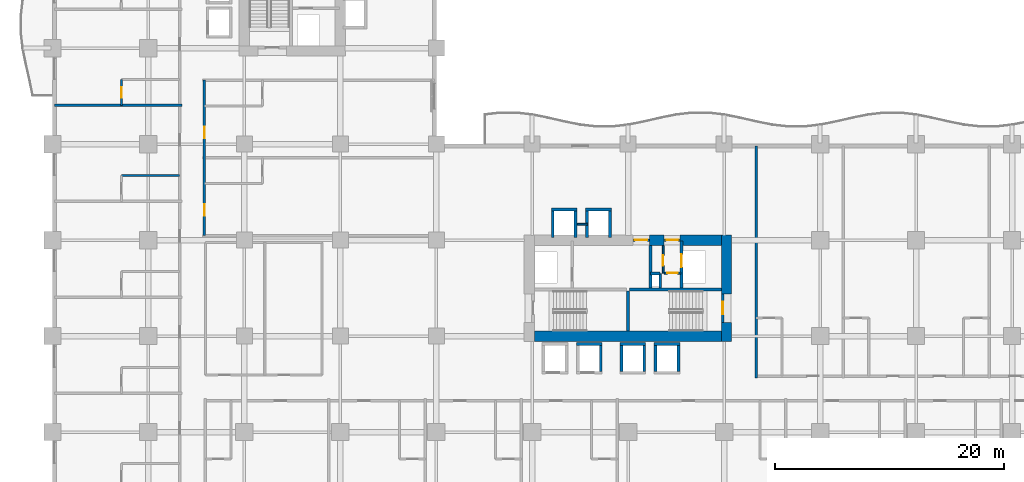
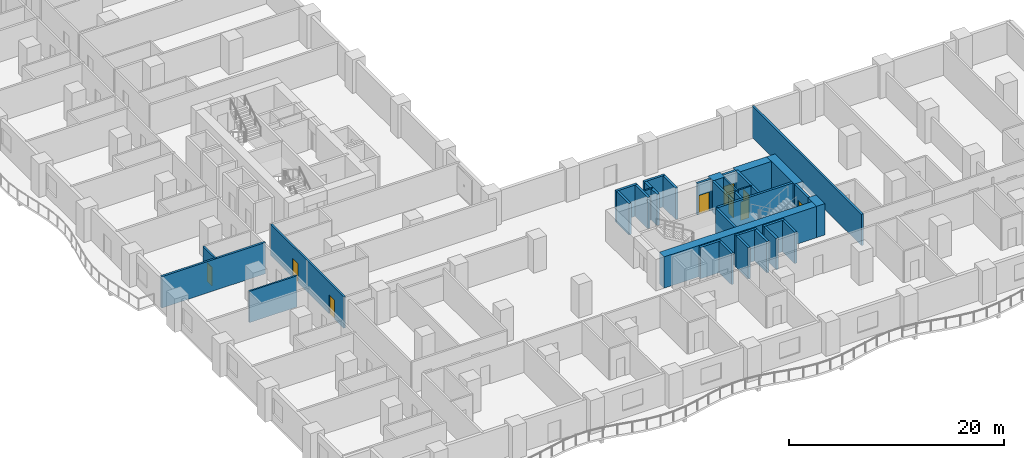
# One storey, part 7 of 20: 36 walls, 9 doors, 9 openings.
"""IFC4 building model written with IfcOpenShell, lengths in metres."""

from ifc_helpers import new_model, si_unit, direction, frame, frame_2d, origin, place, context, subcontext, project, spatial, rectangle, extrude, material, layer, layer_set, type_object, element, fill, save


model = new_model("IFC4")

# Units and contexts
model_context = context("Model", 3, precision=1e-05, world=origin(), true_north=direction((0.0, 1.0)))
body_context = subcontext(model_context, "Body", "Model", "MODEL_VIEW")
ifc_project = project(units=[si_unit("LENGTHUNIT", "METRE"), si_unit("AREAUNIT", "SQUARE_METRE"), si_unit("VOLUMEUNIT", "CUBIC_METRE"), si_unit("PLANEANGLEUNIT", "RADIAN"), si_unit("MASSUNIT", "GRAM", prefix="KILO")], contexts=[model_context])

# Site, building, storey
site_placement = place(None, origin())
site = spatial("IfcSite", under=ifc_project, at=site_placement, CompositionType="ELEMENT")
building_placement = place(site_placement, origin())
building = spatial("IfcBuilding", under=site, at=building_placement, Name="Koriwani Terraces Tower", CompositionType="ELEMENT")
storey_placement = place(building_placement, frame((0.0, 0.0, 35.800048828125)))
storey = spatial("IfcBuildingStorey", under=building, at=storey_placement, Name="L07", CompositionType="ELEMENT", Elevation=35.800048828125)

# Walls
ifc_material_1 = material(Name="Concrete C60/75", Category="concrete")
ifc_layer_1 = layer(ifc_material_1, 0.89990234375, Name="Concrete C60/75")
ifc_layer_set_1 = layer_set([ifc_layer_1], Name="Concrete C60/75")
wall_type_1 = type_object("IfcWallType", Name="WALL_CORE_RC_900", PredefinedType="SHEAR", material=ifc_layer_set_1)
wall_1_placement = place(storey_placement, frame((59.0, 16.35009765625, 0.0), z_axis=(0.0, 0.0, 1.0), x_axis=(0.0, 1.0, 0.0)))
element("IfcWall", 1, at=wall_1_placement, inside=storey, type_object=wall_type_1, Name="L07 East Split Core Shear Wall E1", PredefinedType="SHEAR", context=body_context, shape_type="SweptSolid", body=[
    extrude(rectangle(XDim=1.64990234375, YDim=0.89990234375, at=frame_2d((0.824951171875, 0.0))), origin(), (0.0, 0.0, 1.0), 3.550048828125),
])
wall_2_placement = place(storey_placement, frame((59.0, 20.5, 0.0), z_axis=(0.0, 0.0, 1.0), x_axis=(0.0, 1.0, 0.0)))
element("IfcWall", 2, at=wall_2_placement, inside=storey, type_object=wall_type_1, Name="L07 East Split Core Shear Wall E2", PredefinedType="SHEAR", context=body_context, shape_type="SweptSolid", body=[
    extrude(rectangle(XDim=5.14990234375, YDim=0.89990234375, at=frame_2d((2.574951171875, 0.0))), origin(), (0.0, 0.0, 1.0), 3.550048828125),
])
wall_3_placement = place(storey_placement, frame((42.199951171875, 16.800048828125, 0.0), z_axis=(0.0, 0.0, 1.0), x_axis=(1.0, 0.0, 0.0)))
element("IfcWall", 3, at=wall_3_placement, inside=storey, type_object=wall_type_1, Name="L07 East Split Core Shear Wall S1", PredefinedType="SHEAR", context=body_context, shape_type="SweptSolid", body=[
    extrude(rectangle(XDim=16.35009765625, YDim=0.89990234375, at=frame_2d((8.175048828125, 0.0))), origin(), (0.0, 0.0, 1.0), 3.550048828125),
])
wall_4_placement = place(storey_placement, frame((52.280029296875, 25.199951171875, 0.0), z_axis=(0.0, 0.0, 1.0), x_axis=(1.0, 0.0, 0.0)))
element("IfcWall", 4, at=wall_4_placement, inside=storey, type_object=wall_type_1, Name="L07 East Split Core Shear Wall N2", PredefinedType="SHEAR", context=body_context, shape_type="SweptSolid", body=[
    extrude(rectangle(XDim=1.27001953125, YDim=0.89990234375, at=frame_2d((0.635009765625, 0.0))), origin(), (0.0, 0.0, 1.0), 3.550048828125),
])
wall_5_placement = place(storey_placement, frame((54.949951171875, 25.199951171875, 0.0), z_axis=(0.0, 0.0, 1.0), x_axis=(1.0, 0.0, 0.0)))
element("IfcWall", 5, at=wall_5_placement, inside=storey, type_object=wall_type_1, Name="L07 East Split Core Shear Wall N3", PredefinedType="SHEAR", context=body_context, shape_type="SweptSolid", body=[
    extrude(rectangle(XDim=3.60009765625, YDim=0.89990234375, at=frame_2d((1.800048828125, 0.0))), origin(), (0.0, 0.0, 1.0), 3.550048828125),
])

# Wall, openings, doors
ifc_material_2 = material(Name="Autoclaved Cellular Concrete Blockwork", Category="masonry")
ifc_layer_2 = layer(ifc_material_2, 0.199951171875, Name="Autoclaved Cellular Concrete Blockwork")
ifc_layer_set_2 = layer_set([ifc_layer_2], Name="Autoclaved Cellular Concrete Blockwork")
wall_type_2 = type_object("IfcWallType", Name="WALL_CORRIDOR_200", PredefinedType="PARTITIONING", material=ifc_layer_set_2)
wall_6_placement = place(storey_placement, frame((13.300048828125, 25.60009765625, 0.0), z_axis=(0.0, 0.0, 1.0), x_axis=(0.0, 1.0, 0.0)))
wall_6 = element("IfcWall", 6, at=wall_6_placement, inside=storey, type_object=wall_type_2, Name="L07 Interior Wall WCOR-L07-NWI-0", PredefinedType="PARTITIONING", context=body_context, shape_type="SweptSolid", body=[
    extrude(rectangle(XDim=13.599853515625, YDim=0.199951171875, at=frame_2d((6.7998046875, 0.0))), origin(), (0.0, 0.0, 1.0), 3.550048828125),
])
opening_1_placement = place(wall_6_placement, frame((1.735107421875, 0.0, 0.0)))
opening_1 = element("IfcOpeningElement", 7, at=opening_1_placement, cuts=wall_6, Name="Opening D-05", PredefinedType="OPENING", context=body_context, shape_type="SweptSolid", body=[
    extrude(rectangle(XDim=1.0, YDim=2.14990234375, at=frame_2d((0.5, 1.074951171875))), frame((0.0, 0.10986328125, 0.0), z_axis=(0.0, -1.0, 0.0), x_axis=(1.0, 0.0, 0.0)), (0.0, 0.0, 1.0), 0.219970703125),
])
opening_2_placement = place(wall_6_placement, frame((8.534912109375, 0.0, 0.0)))
opening_2 = element("IfcOpeningElement", 8, at=opening_2_placement, cuts=wall_6, Name="Opening D-05", PredefinedType="OPENING", context=body_context, shape_type="SweptSolid", body=[
    extrude(rectangle(XDim=1.0, YDim=2.14990234375, at=frame_2d((0.5, 1.074951171875))), frame((0.0, 0.10986328125, 0.0), z_axis=(0.0, -1.0, 0.0), x_axis=(1.0, 0.0, 0.0)), (0.0, 0.0, 1.0), 0.219970703125),
])
ifc_material_3 = material(Name="Architectural Oak Fire Door", Category="wood")
door_type_1 = type_object("IfcDoorType", Name="DOOR_SUITE_ENTRY_1000X2150", OperationType="NOTDEFINED", PredefinedType="DOOR", material=ifc_material_3)
door_1_placement = place(opening_1_placement, origin())
door_1 = element("IfcDoor", 9, at=door_1_placement, inside=storey, type_object=door_type_1, Name="Luxury Hotel Suite 07NWI1 Entrance Door", OperationType="SINGLE_SWING_LEFT", OverallHeight=2.14990234375, OverallWidth=1.0, PredefinedType="DOOR", context=body_context, shape_type="SweptSolid", body=[
    extrude(rectangle(XDim=1.0, YDim=2.14990234375, at=frame_2d((0.5, 1.074951171875))), frame((0.0, 0.02490234375, 0.0), z_axis=(0.0, -1.0, 0.0), x_axis=(1.0, 0.0, 0.0)), (0.0, 0.0, 1.0), 0.050048828125),
])
fill(opening_1, door_1)
door_2_placement = place(opening_2_placement, origin())
door_2 = element("IfcDoor", 10, at=door_2_placement, inside=storey, type_object=door_type_1, Name="Luxury Hotel Suite 07NWI2 Entrance Door", OperationType="SINGLE_SWING_LEFT", OverallHeight=2.14990234375, OverallWidth=1.0, PredefinedType="DOOR", context=body_context, shape_type="SweptSolid", body=[
    extrude(rectangle(XDim=1.0, YDim=2.14990234375, at=frame_2d((0.5, 1.074951171875))), frame((0.0, 0.02490234375, 0.0), z_axis=(0.0, -1.0, 0.0), x_axis=(1.0, 0.0, 0.0)), (0.0, 0.0, 1.0), 0.050048828125),
])
fill(opening_2, door_2)

# Walls
ifc_layer_3 = layer(ifc_material_2, 0.219970703125, Name="Autoclaved Cellular Concrete Blockwork")
ifc_layer_set_3 = layer_set([ifc_layer_3], Name="Autoclaved Cellular Concrete Blockwork")
wall_type_3 = type_object("IfcWallType", Name="WALL_DEMISING_220", PredefinedType="PARTITIONING", material=ifc_layer_set_3)
wall_7_placement = place(storey_placement, frame((0.199951171875, 37.0, 0.0), z_axis=(0.0, 0.0, 1.0), x_axis=(1.0, 0.0, 0.0)))
element("IfcWall", 11, at=wall_7_placement, inside=storey, type_object=wall_type_3, Name="L07 Interior Wall WDEM-L07-NW-4", PredefinedType="PARTITIONING", context=body_context, shape_type="SweptSolid", body=[
    extrude(rectangle(XDim=11.130126953125, YDim=0.219970703125, at=frame_2d((5.56494140625, 0.0))), origin(), (0.0, 0.0, 1.0), 3.550048828125),
])
wall_8_placement = place(storey_placement, frame((61.60009765625, 13.14990234375, 0.0), z_axis=(0.0, 0.0, 1.0), x_axis=(0.0, 1.0, 0.0)))
element("IfcWall", 12, at=wall_8_placement, inside=storey, type_object=wall_type_3, Name="L07 Interior Wall WDEM-L07-SE-0", PredefinedType="PARTITIONING", context=body_context, shape_type="SweptSolid", body=[
    extrude(rectangle(XDim=20.280029296875, YDim=0.219970703125, at=frame_2d((10.14013671875, 0.0))), origin(), (0.0, 0.0, 1.0), 3.550048828125),
])
ifc_material_4 = material(Name="Fire-Rated Acoustic Gypsum Partition", Category="masonry")
ifc_layer_4 = layer(ifc_material_4, 0.179931640625, Name="Fire-Rated Acoustic Gypsum Partition")
ifc_layer_set_4 = layer_set([ifc_layer_4], Name="Fire-Rated Acoustic Gypsum Partition")
wall_type_4 = type_object("IfcWallType", Name="WALL_PLUMBING_180", PredefinedType="PLUMBINGWALL", material=ifc_layer_set_4)
wall_9_placement = place(storey_placement, frame((6.050048828125, 30.85009765625, 0.0), z_axis=(0.0, 0.0, 1.0), x_axis=(1.0, 0.0, 0.0)))
element("IfcWall", 13, at=wall_9_placement, inside=storey, type_object=wall_type_4, Name="L07 Interior Wall WBTH2-L07-NW-3", PredefinedType="PLUMBINGWALL", context=body_context, shape_type="SweptSolid", body=[
    extrude(rectangle(XDim=5.099853515625, YDim=0.179931640625, at=frame_2d((2.5498046875, 0.0))), origin(), (0.0, 0.0, 1.0), 3.550048828125),
])

# Wall, opening, door
wall_10_placement = place(storey_placement, frame((6.050048828125, 37.0, 0.0), z_axis=(0.0, 0.0, 1.0), x_axis=(0.0, 1.0, 0.0)))
wall_10 = element("IfcWall", 14, at=wall_10_placement, inside=storey, type_object=wall_type_4, Name="L07 Interior Wall WBTH1-L07-NW-4", PredefinedType="PLUMBINGWALL", context=body_context, shape_type="SweptSolid", body=[
    extrude(rectangle(XDim=2.25, YDim=0.179931640625, at=frame_2d((1.125, 0.0))), origin(), (0.0, 0.0, 1.0), 3.550048828125),
])
opening_3_placement = place(wall_10_placement, frame((0.675048828125, 0.0, 0.0)))
opening_3 = element("IfcOpeningElement", 15, at=opening_3_placement, cuts=wall_10, Name="Opening D-07", PredefinedType="OPENING", context=body_context, shape_type="SweptSolid", body=[
    extrude(rectangle(XDim=0.89990234375, YDim=2.10009765625, at=frame_2d((0.449951171875, 1.050048828125))), frame((0.0, 0.10009765625, 0.0), z_axis=(0.0, -1.0, 0.0), x_axis=(1.0, 0.0, 0.0)), (0.0, 0.0, 1.0), 0.199951171875),
])
door_type_2 = type_object("IfcDoorType", Name="DOOR_BATH_INT_900X2100", OperationType="NOTDEFINED", PredefinedType="DOOR", material=ifc_material_3)
door_3_placement = place(opening_3_placement, origin())
door_3 = element("IfcDoor", 16, at=door_3_placement, inside=storey, type_object=door_type_2, Name="En-Suite Bathroom 07NW5 Door", OperationType="SINGLE_SWING_RIGHT", OverallHeight=2.10009765625, OverallWidth=0.89990234375, PredefinedType="DOOR", context=body_context, shape_type="SweptSolid", body=[
    extrude(rectangle(XDim=0.89990234375, YDim=2.10009765625, at=frame_2d((0.449951171875, 1.050048828125))), frame((0.0, 0.02490234375, 0.0), z_axis=(0.0, -1.0, 0.0), x_axis=(1.0, 0.0, 0.0)), (0.0, 0.0, 1.0), 0.050048828125),
])
fill(opening_3, door_3)

# Walls
ifc_material_5 = material(Name="Concrete C40/50", Category="concrete")
ifc_layer_5 = layer(ifc_material_5, 0.25, Name="Concrete C40/50")
ifc_layer_set_5 = layer_set([ifc_layer_5], Name="Concrete C40/50")
wall_type_5 = type_object("IfcWallType", Name="WALL_SHAFT_RATED_250", PredefinedType="SOLIDWALL", material=ifc_layer_set_5)
wall_11_placement = place(storey_placement, frame((50.5, 20.875, 0.0), z_axis=(0.0, 0.0, 1.0), x_axis=(1.0, 0.0, 0.0)))
element("IfcWall", 17, at=wall_11_placement, inside=storey, type_object=wall_type_5, Name="L07 East Split Core Web Wall MID2", PredefinedType="SOLIDWALL", context=body_context, shape_type="SweptSolid", body=[
    extrude(rectangle(XDim=8.050048828125, YDim=0.25, at=frame_2d((4.02490234375, 0.0))), origin(), (0.0, 0.0, 1.0), 3.550048828125),
])
wall_12_placement = place(storey_placement, frame((50.375, 17.25, 0.0), z_axis=(0.0, 0.0, 1.0), x_axis=(0.0, 1.0, 0.0)))
element("IfcWall", 18, at=wall_12_placement, inside=storey, type_object=wall_type_5, Name="L07 East Split Core Stair Dividing Wall", PredefinedType="SOLIDWALL", context=body_context, shape_type="SweptSolid", body=[
    extrude(rectangle(XDim=3.5, YDim=0.25, at=frame_2d((1.75, 0.0))), origin(), (0.0, 0.0, 1.0), 3.550048828125),
])

# Wall, opening, door
wall_13_placement = place(storey_placement, frame((58.675048828125, 18.0, 0.0), z_axis=(0.0, 0.0, 1.0), x_axis=(0.0, 1.0, 0.0)))
wall_13 = element("IfcWall", 19, at=wall_13_placement, inside=storey, type_object=wall_type_5, Name="L07 Interior Wall WIN-CE-L07-STE", PredefinedType="SOLIDWALL", context=body_context, shape_type="SweptSolid", body=[
    extrude(rectangle(XDim=2.5, YDim=0.25, at=frame_2d((1.25, 0.0))), origin(), (0.0, 0.0, 1.0), 3.550048828125),
])
opening_4_placement = place(wall_13_placement, frame((0.699951171875, 0.0, 0.0)))
opening_4 = element("IfcOpeningElement", 20, at=opening_4_placement, cuts=wall_13, Name="Opening D-03", PredefinedType="OPENING", context=body_context, shape_type="SweptSolid", body=[
    extrude(rectangle(XDim=1.10009765625, YDim=2.14990234375, at=frame_2d((0.550048828125, 1.074951171875))), frame((0.0, 0.135009765625, 0.0), z_axis=(0.0, -1.0, 0.0), x_axis=(1.0, 0.0, 0.0)), (0.0, 0.0, 1.0), 0.27001953125),
])
ifc_material_6 = material(Name="Steel ASTM A572 Grade 50", Category="steel")
door_type_3 = type_object("IfcDoorType", Name="DOOR_STAIR_FIRE_1100X2150", OperationType="NOTDEFINED", PredefinedType="DOOR", material=ifc_material_6)
door_4_placement = place(opening_4_placement, origin())
door_4 = element("IfcDoor", 21, at=door_4_placement, inside=storey, type_object=door_type_3, Name="L07 Exit Stair ST-E2 Door", OperationType="SINGLE_SWING_RIGHT", OverallHeight=2.14990234375, OverallWidth=1.10009765625, PredefinedType="DOOR", context=body_context, shape_type="SweptSolid", body=[
    extrude(rectangle(XDim=1.10009765625, YDim=2.14990234375, at=frame_2d((0.550048828125, 1.074951171875))), frame((0.0, 0.02490234375, 0.0), z_axis=(0.0, -1.0, 0.0), x_axis=(1.0, 0.0, 0.0)), (0.0, 0.0, 1.0), 0.050048828125),
])
fill(opening_4, door_4)

wall_14_placement = place(storey_placement, frame((50.800048828125, 25.199951171875, 0.0), z_axis=(0.0, 0.0, 1.0), x_axis=(1.0, 0.0, 0.0)))
wall_14 = element("IfcWall", 22, at=wall_14_placement, inside=storey, type_object=wall_type_5, Name="L07 Interior Wall WIN-CE-L07-NP", PredefinedType="SOLIDWALL", context=body_context, shape_type="SweptSolid", body=[
    extrude(rectangle(XDim=1.47998046875, YDim=0.25, at=frame_2d((0.739990234375, 0.0))), origin(), (0.0, 0.0, 1.0), 3.550048828125),
])
opening_5_placement = place(wall_14_placement, frame((0.179931640625, 0.0, 0.0)))
opening_5 = element("IfcOpeningElement", 23, at=opening_5_placement, cuts=wall_14, Name="Opening D-03", PredefinedType="OPENING", context=body_context, shape_type="SweptSolid", body=[
    extrude(rectangle(XDim=1.10009765625, YDim=2.14990234375, at=frame_2d((0.550048828125, 1.074951171875))), frame((0.0, 0.135009765625, 0.0), z_axis=(0.0, -1.0, 0.0), x_axis=(1.0, 0.0, 0.0)), (0.0, 0.0, 1.0), 0.27001953125),
])
door_5_placement = place(opening_5_placement, origin())
door_5 = element("IfcDoor", 24, at=door_5_placement, inside=storey, type_object=door_type_3, Name="L07 East Firefighting Lobby Door", OperationType="SINGLE_SWING_LEFT", OverallHeight=2.14990234375, OverallWidth=1.10009765625, PredefinedType="DOOR", context=body_context, shape_type="SweptSolid", body=[
    extrude(rectangle(XDim=1.10009765625, YDim=2.14990234375, at=frame_2d((0.550048828125, 1.074951171875))), frame((0.0, 0.02490234375, 0.0), z_axis=(0.0, -1.0, 0.0), x_axis=(1.0, 0.0, 0.0)), (0.0, 0.0, 1.0), 0.050048828125),
])
fill(opening_5, door_5)

# Wall
wall_15_placement = place(storey_placement, frame((52.340087890625, 21.0, 0.0), z_axis=(0.0, 0.0, 1.0), x_axis=(0.0, 1.0, 0.0)))
element("IfcWall", 25, at=wall_15_placement, inside=storey, type_object=wall_type_5, Name="L07 Interior Wall WIN-CE-L07-FFE", PredefinedType="SOLIDWALL", context=body_context, shape_type="SweptSolid", body=[
    extrude(rectangle(XDim=3.75, YDim=0.25, at=frame_2d((1.875, 0.0))), origin(), (0.0, 0.0, 1.0), 3.550048828125),
])

# Wall, opening, door
wall_16_placement = place(storey_placement, frame((55.050048828125, 21.0, 0.0), z_axis=(0.0, 0.0, 1.0), x_axis=(0.0, 1.0, 0.0)))
wall_16 = element("IfcWall", 26, at=wall_16_placement, inside=storey, type_object=wall_type_5, Name="L07 Interior Wall WIN-CE-L07-SE", PredefinedType="SOLIDWALL", context=body_context, shape_type="SweptSolid", body=[
    extrude(rectangle(XDim=4.14990234375, YDim=0.25, at=frame_2d((2.074951171875, 0.0))), origin(), (0.0, 0.0, 1.0), 3.550048828125),
])
opening_6_placement = place(wall_16_placement, frame((1.85009765625, 0.0, 0.0)))
opening_6 = element("IfcOpeningElement", 27, at=opening_6_placement, cuts=wall_16, Name="Opening LD-01", PredefinedType="OPENING", context=body_context, shape_type="SweptSolid", body=[
    extrude(rectangle(XDim=1.10009765625, YDim=2.14990234375, at=frame_2d((0.550048828125, 1.074951171875))), frame((0.0, 0.135009765625, 0.0), z_axis=(0.0, -1.0, 0.0), x_axis=(1.0, 0.0, 0.0)), (0.0, 0.0, 1.0), 0.27001953125),
])
door_type_4 = type_object("IfcDoorType", Name="DOOR_LIFT_LANDING_1100X2200", OperationType="NOTDEFINED", PredefinedType="DOOR", material=ifc_material_6)
door_6_placement = place(opening_6_placement, origin())
door_6 = element("IfcDoor", 28, at=door_6_placement, inside=storey, type_object=door_type_4, Name="L07 Goods Lift SE-02 Landing Door", OperationType="SLIDING_TO_LEFT", OverallHeight=2.14990234375, OverallWidth=1.10009765625, PredefinedType="DOOR", context=body_context, shape_type="SweptSolid", body=[
    extrude(rectangle(XDim=1.10009765625, YDim=2.14990234375, at=frame_2d((0.550048828125, 1.074951171875))), frame((0.0, 0.02490234375, 0.0), z_axis=(0.0, -1.0, 0.0), x_axis=(1.0, 0.0, 0.0)), (0.0, 0.0, 1.0), 0.050048828125),
])
fill(opening_6, door_6)

wall_17_placement = place(storey_placement, frame((53.550048828125, 25.199951171875, 0.0), z_axis=(0.0, 0.0, 1.0), x_axis=(1.0, 0.0, 0.0)))
wall_17 = element("IfcWall", 29, at=wall_17_placement, inside=storey, type_object=wall_type_5, Name="L07 Interior Wall WIN-CE-L07-NP2", PredefinedType="SOLIDWALL", context=body_context, shape_type="SweptSolid", body=[
    extrude(rectangle(XDim=1.39990234375, YDim=0.25, at=frame_2d((0.699951171875, 0.0))), origin(), (0.0, 0.0, 1.0), 3.550048828125),
])
opening_7_placement = place(wall_17_placement, frame((0.14990234375, 0.0, 0.0)))
opening_7 = element("IfcOpeningElement", 30, at=opening_7_placement, cuts=wall_17, Name="Opening D-03", PredefinedType="OPENING", context=body_context, shape_type="SweptSolid", body=[
    extrude(rectangle(XDim=1.10009765625, YDim=2.14990234375, at=frame_2d((0.550048828125, 1.074951171875))), frame((0.0, 0.135009765625, 0.0), z_axis=(0.0, -1.0, 0.0), x_axis=(1.0, 0.0, 0.0)), (0.0, 0.0, 1.0), 0.27001953125),
])
door_7_placement = place(opening_7_placement, origin())
door_7 = element("IfcDoor", 31, at=door_7_placement, inside=storey, type_object=door_type_3, Name="L07 East Goods Lift Lobby Door", OperationType="SINGLE_SWING_RIGHT", OverallHeight=2.14990234375, OverallWidth=1.10009765625, PredefinedType="DOOR", context=body_context, shape_type="SweptSolid", body=[
    extrude(rectangle(XDim=1.10009765625, YDim=2.14990234375, at=frame_2d((0.550048828125, 1.074951171875))), frame((0.0, 0.02490234375, 0.0), z_axis=(0.0, -1.0, 0.0), x_axis=(1.0, 0.0, 0.0)), (0.0, 0.0, 1.0), 0.050048828125),
])
fill(opening_7, door_7)

# Walls
wall_18_placement = place(storey_placement, frame((53.199951171875, 21.0, 0.0), z_axis=(0.0, 0.0, 1.0), x_axis=(0.0, 1.0, 0.0)))
element("IfcWall", 32, at=wall_18_placement, inside=storey, type_object=wall_type_5, Name="L07 Interior Wall WIN-CE-L07-RS1", PredefinedType="SOLIDWALL", context=body_context, shape_type="SweptSolid", body=[
    extrude(rectangle(XDim=1.300048828125, YDim=0.25, at=frame_2d((0.64990234375, 0.0))), origin(), (0.0, 0.0, 1.0), 3.550048828125),
])
wall_19_placement = place(storey_placement, frame((52.360107421875, 22.300048828125, 0.0), z_axis=(0.0, 0.0, 1.0), x_axis=(1.0, 0.0, 0.0)))
element("IfcWall", 33, at=wall_19_placement, inside=storey, type_object=wall_type_5, Name="L07 Interior Wall WIN-CE-L07-RS2", PredefinedType="SOLIDWALL", context=body_context, shape_type="SweptSolid", body=[
    extrude(rectangle(XDim=0.83984375, YDim=0.25, at=frame_2d((0.419921875, 0.0))), origin(), (0.0, 0.0, 1.0), 3.550048828125),
])
for number, where, z_axis, x_axis, name in (
    (34, (45.875, 16.10009765625, 0.0), (0.0, 0.0, 1.0), (1.0, 0.0, 0.0), "L07 Interior Wall WIN-LF-PE-L4-L07-B"),
    (35, (48.0, 13.72509765625, 0.0), (0.0, 0.0, 1.0), (0.0, 1.0, 0.0), "L07 Interior Wall WIN-LF-PE-L4-L07-E"),
    (36, (49.675048828125, 16.10009765625, 0.0), (0.0, 0.0, 1.0), (1.0, 0.0, 0.0), "L07 Interior Wall WIN-LF-PE-M3-L07-B"),
    (37, (49.800048828125, 13.72509765625, 0.0), (0.0, 0.0, 1.0), (0.0, 1.0, 0.0), "L07 Interior Wall WIN-LF-PE-M3-L07-W"),
    (38, (51.800048828125, 13.72509765625, 0.0), (0.0, 0.0, 1.0), (0.0, 1.0, 0.0), "L07 Interior Wall WIN-LF-PE-M3-L07-E"),
    (39, (52.675048828125, 16.10009765625, 0.0), (0.0, 0.0, 1.0), (1.0, 0.0, 0.0), "L07 Interior Wall WIN-LF-PE-M4-L07-B"),
    (40, (52.800048828125, 13.72509765625, 0.0), (0.0, 0.0, 1.0), (0.0, 1.0, 0.0), "L07 Interior Wall WIN-LF-PE-M4-L07-W"),
    (41, (54.800048828125, 13.72509765625, 0.0), (0.0, 0.0, 1.0), (0.0, 1.0, 0.0), "L07 Interior Wall WIN-LF-PE-M4-L07-E"),
    (42, (43.675048828125, 27.89990234375, 0.0), (0.0, 0.0, 1.0), (1.0, 0.0, 0.0), "L07 Interior Wall WIN-LF-PE-H3-L07-F"),
):
    element("IfcWall", number, at=place(storey_placement, frame(where, z_axis=z_axis, x_axis=x_axis)), inside=storey, type_object=wall_type_5, Name=name, PredefinedType="SOLIDWALL", context=body_context, shape_type="SweptSolid", body=[
        extrude(rectangle(XDim=2.25, YDim=0.25, at=frame_2d((1.125, 0.0))), origin(), (0.0, 0.0, 1.0), 3.550048828125),
    ])
for number, where, z_axis, x_axis, name in (
    (43, (43.800048828125, 25.449951171875, 0.0), (0.0, 0.0, 1.0), (0.0, 1.0, 0.0), "L07 Interior Wall WIN-LF-PE-H3-L07-W"),
    (44, (45.800048828125, 25.449951171875, 0.0), (0.0, 0.0, 1.0), (0.0, 1.0, 0.0), "L07 Interior Wall WIN-LF-PE-H3-L07-E"),
):
    element("IfcWall", number, at=place(storey_placement, frame(where, z_axis=z_axis, x_axis=x_axis)), inside=storey, type_object=wall_type_5, Name=name, PredefinedType="SOLIDWALL", context=body_context, shape_type="SweptSolid", body=[
        extrude(rectangle(XDim=2.324951171875, YDim=0.25, at=frame_2d((1.16259765625, 0.0))), origin(), (0.0, 0.0, 1.0), 3.550048828125),
    ])
wall_20_placement = place(storey_placement, frame((46.675048828125, 27.89990234375, 0.0), z_axis=(0.0, 0.0, 1.0), x_axis=(1.0, 0.0, 0.0)))
element("IfcWall", 45, at=wall_20_placement, inside=storey, type_object=wall_type_5, Name="L07 Interior Wall WIN-LF-PE-H4-L07-F", PredefinedType="SOLIDWALL", context=body_context, shape_type="SweptSolid", body=[
    extrude(rectangle(XDim=2.25, YDim=0.25, at=frame_2d((1.125, 0.0))), origin(), (0.0, 0.0, 1.0), 3.550048828125),
])
for number, where, z_axis, x_axis, name in (
    (46, (46.800048828125, 25.449951171875, 0.0), (0.0, 0.0, 1.0), (0.0, 1.0, 0.0), "L07 Interior Wall WIN-LF-PE-H4-L07-W"),
    (47, (48.800048828125, 25.449951171875, 0.0), (0.0, 0.0, 1.0), (0.0, 1.0, 0.0), "L07 Interior Wall WIN-LF-PE-H4-L07-E"),
):
    element("IfcWall", number, at=place(storey_placement, frame(where, z_axis=z_axis, x_axis=x_axis)), inside=storey, type_object=wall_type_5, Name=name, PredefinedType="SOLIDWALL", context=body_context, shape_type="SweptSolid", body=[
        extrude(rectangle(XDim=2.324951171875, YDim=0.25, at=frame_2d((1.16259765625, 0.0))), origin(), (0.0, 0.0, 1.0), 3.550048828125),
    ])

# Wall, opening, door
ifc_layer_6 = layer(ifc_material_4, 0.159912109375, Name="Fire-Rated Acoustic Gypsum Partition")
ifc_layer_set_6 = layer_set([ifc_layer_6], Name="Fire-Rated Acoustic Gypsum Partition")
wall_type_6 = type_object("IfcWallType", Name="WALL_SUITE_160", PredefinedType="PARTITIONING", material=ifc_layer_set_6)
wall_21_placement = place(storey_placement, frame((53.56005859375, 22.320068359375, 0.0), z_axis=(0.0, 0.0, 1.0), x_axis=(1.0, 0.0, 0.0)))
wall_21 = element("IfcWall", 48, at=wall_21_placement, inside=storey, type_object=wall_type_6, Name="L07 Interior Wall WIN-CE-L07-SV1A", PredefinedType="PARTITIONING", context=body_context, shape_type="SweptSolid", body=[
    extrude(rectangle(XDim=1.43994140625, YDim=0.159912109375, at=frame_2d((0.719970703125, 0.0))), origin(), (0.0, 0.0, 1.0), 3.550048828125),
])
opening_8_placement = place(wall_21_placement, frame((0.260009765625, 0.0, 0.0)))
opening_8 = element("IfcOpeningElement", 49, at=opening_8_placement, cuts=wall_21, Name="Opening D-07", PredefinedType="OPENING", context=body_context, shape_type="SweptSolid", body=[
    extrude(rectangle(XDim=0.89990234375, YDim=2.10009765625, at=frame_2d((0.449951171875, 1.050048828125))), frame((0.0, 0.08984375, 0.0), z_axis=(0.0, -1.0, 0.0), x_axis=(1.0, 0.0, 0.0)), (0.0, 0.0, 1.0), 0.179931640625),
])
door_8_placement = place(opening_8_placement, origin())
door_8 = element("IfcDoor", 50, at=door_8_placement, inside=storey, type_object=door_type_2, Name="L07 East Telecom Room Door", OperationType="SINGLE_SWING_LEFT", OverallHeight=2.10009765625, OverallWidth=0.89990234375, PredefinedType="DOOR", context=body_context, shape_type="SweptSolid", body=[
    extrude(rectangle(XDim=0.89990234375, YDim=2.10009765625, at=frame_2d((0.449951171875, 1.050048828125))), frame((0.0, 0.02490234375, 0.0), z_axis=(0.0, -1.0, 0.0), x_axis=(1.0, 0.0, 0.0)), (0.0, 0.0, 1.0), 0.050048828125),
])
fill(opening_8, door_8)

wall_22_placement = place(storey_placement, frame((53.4599609375, 22.320068359375, 0.0), z_axis=(0.0, 0.0, 1.0), x_axis=(0.0, 1.0, 0.0)))
wall_22 = element("IfcWall", 51, at=wall_22_placement, inside=storey, type_object=wall_type_6, Name="L07 Interior Wall WIN-CE-L07-SV1B", PredefinedType="PARTITIONING", context=body_context, shape_type="SweptSolid", body=[
    extrude(rectangle(XDim=2.39990234375, YDim=0.159912109375, at=frame_2d((1.199951171875, 0.0))), origin(), (0.0, 0.0, 1.0), 3.550048828125),
])
opening_9_placement = place(wall_22_placement, frame((0.64990234375, 0.0, 0.0)))
opening_9 = element("IfcOpeningElement", 52, at=opening_9_placement, cuts=wall_22, Name="Opening D-07", PredefinedType="OPENING", context=body_context, shape_type="SweptSolid", body=[
    extrude(rectangle(XDim=0.89990234375, YDim=2.10009765625, at=frame_2d((0.449951171875, 1.050048828125))), frame((0.0, 0.08984375, 0.0), z_axis=(0.0, -1.0, 0.0), x_axis=(1.0, 0.0, 0.0)), (0.0, 0.0, 1.0), 0.179931640625),
])
door_9_placement = place(opening_9_placement, origin())
door_9 = element("IfcDoor", 53, at=door_9_placement, inside=storey, type_object=door_type_2, Name="L07 East Cleaners Closet Door", OperationType="SINGLE_SWING_RIGHT", OverallHeight=2.10009765625, OverallWidth=0.89990234375, PredefinedType="DOOR", context=body_context, shape_type="SweptSolid", body=[
    extrude(rectangle(XDim=0.89990234375, YDim=2.10009765625, at=frame_2d((0.449951171875, 1.050048828125))), frame((0.0, 0.02490234375, 0.0), z_axis=(0.0, -1.0, 0.0), x_axis=(1.0, 0.0, 0.0)), (0.0, 0.0, 1.0), 0.050048828125),
])
fill(opening_9, door_9)

# Wall
wall_23_placement = place(storey_placement, frame((45.9599609375, 26.60009765625, 0.0), z_axis=(0.0, 0.0, 1.0), x_axis=(1.0, 0.0, 0.0)))
element("IfcWall", 54, at=wall_23_placement, inside=storey, type_object=wall_type_6, Name="L07 Interior Wall WIN-LF-PEH34-MID-L07", PredefinedType="PARTITIONING", context=body_context, shape_type="SweptSolid", body=[
    extrude(rectangle(XDim=0.880126953125, YDim=0.159912109375, at=frame_2d((0.43994140625, 0.0))), origin(), (0.0, 0.0, 1.0), 3.550048828125),
])

save(model, "model.ifc")
